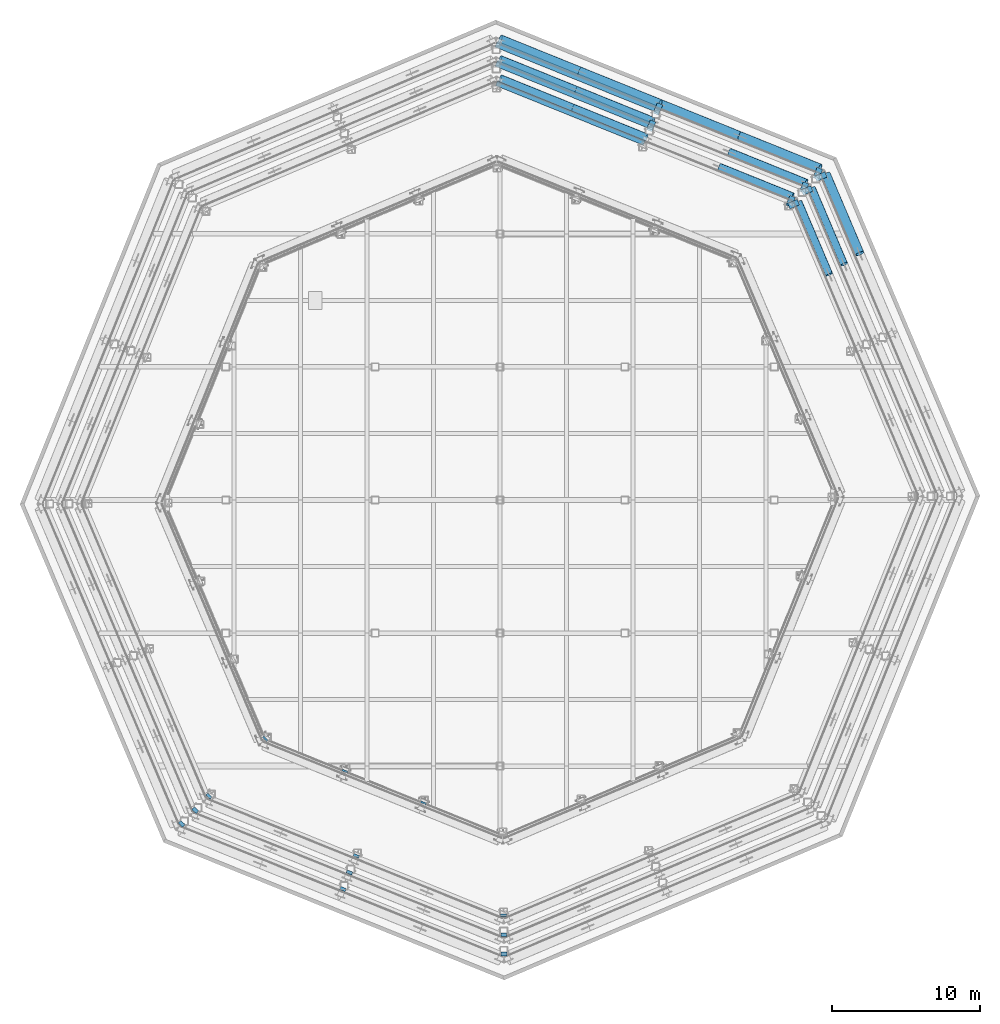
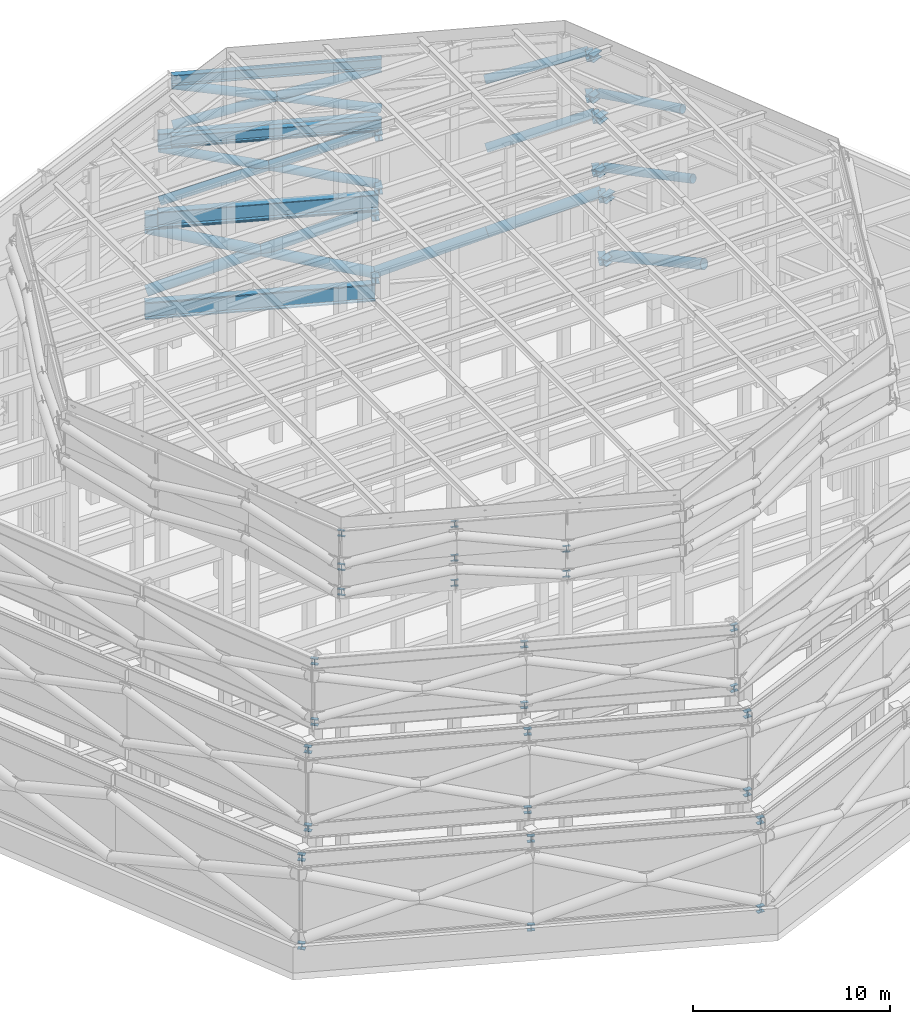
# One storey, part 13 of 19: 58 members, 6 beams.
"""IFC4 building model written with IfcOpenShell, lengths in metres."""

from ifc_helpers import new_model, si_unit, direction, frame, origin, origin_2d, place, context, subcontext, project, spatial, hollow_circle, i_section, extrude, material, material_profile, profile_set, type_object, element, save


model = new_model("IFC4")

# Units and contexts
model_context = context("Model", 3, precision=1e-05, world=origin(), true_north=direction((0.0, 1.0)))
body_context = subcontext(model_context, "Body", "Model", "MODEL_VIEW")
ifc_project = project(units=[si_unit("LENGTHUNIT", "METRE"), si_unit("AREAUNIT", "SQUARE_METRE"), si_unit("VOLUMEUNIT", "CUBIC_METRE"), si_unit("PLANEANGLEUNIT", "RADIAN"), si_unit("MASSUNIT", "GRAM", prefix="KILO")], contexts=[model_context])

# Site, building, storey
site_placement = place(None, origin())
site = spatial("IfcSite", under=ifc_project, at=site_placement, CompositionType="ELEMENT")
building_placement = place(site_placement, origin())
building = spatial("IfcBuilding", under=site, at=building_placement, Name="Orlundy Tower", CompositionType="ELEMENT")
storey_placement = place(building_placement, frame((0.0, 0.0, 304.300048828125)))
storey = spatial("IfcBuildingStorey", under=building, at=storey_placement, Name="Roof", CompositionType="ELEMENT", Elevation=304.300048828125)

# Beams
ifc_material_1 = material(Name="Steel ASTM A992 Gr 50", Category="steel")
ifc_material_profile_1 = material_profile(ifc_material_1, i_section(OverallWidth=0.3291015625, OverallDepth=0.635009765625, WebThickness=0.017822265625, FlangeThickness=0.031005859375, at=origin_2d()), Name="W24X162")
ifc_profile_set_1 = profile_set([ifc_material_profile_1], Name="Steel ASTM A992 Gr 50")
beam_type_1 = type_object("IfcBeamType", Name="CROWN FRAME beam W24X162", PredefinedType="BEAM", material=ifc_profile_set_1)
for number, where, z_axis, x_axis, name in (
    (1, (9.75634765625, 24.148193359375, 12.617431640625), (-0.927191356917, 0.374588023912, 0.0), (-0.374588023912, -0.927191356917, 0.0), "CROWN FRAME foot ring beam 3-02"),
    (2, (9.75634765625, 24.148193359375, 16.382568359375), (-0.927191356917, 0.374588023912, 0.0), (-0.374588023912, -0.927191356917, 0.0), "CROWN FRAME head ring beam 3-02"),
):
    element("IfcBeam", number, at=place(storey_placement, frame(where, z_axis=z_axis, x_axis=x_axis)), inside=storey, type_object=beam_type_1, Name=name, PredefinedType="BEAM", context=body_context, shape_type="SweptSolid", body=[
        extrude(i_section(OverallWidth=0.3291015625, OverallDepth=0.635009765625, WebThickness=0.017822265625, FlangeThickness=0.031005859375, at=origin_2d()), origin(), (0.0, 0.0, 1.0), 10.787841796875),
    ])
ifc_material_2 = material(Name="Steel ASTM A992 Gr 50", Category="steel")
ifc_material_profile_2 = material_profile(ifc_material_2, i_section(OverallWidth=0.423095703125, OverallDepth=0.947265625, WebThickness=0.02392578125, FlangeThickness=0.042724609375, at=origin_2d()), Name="W36X302")
ifc_profile_set_2 = profile_set([ifc_material_profile_2], Name="Steel ASTM A992 Gr 50")
beam_type_2 = type_object("IfcBeamType", Name="CROWN FRAME beam W36X302", PredefinedType="BEAM", material=ifc_profile_set_2)
beam_1_placement = place(storey_placement, frame((10.673095703125, 26.4169921875, 6.0263671875), z_axis=(-0.927187126957, 0.374598493863, 0.0), x_axis=(-0.374598493863, -0.927187126957, 0.0)))
element("IfcBeam", 3, at=beam_1_placement, inside=storey, type_object=beam_type_2, Name="CROWN FRAME head ring beam 1-02", PredefinedType="BEAM", context=body_context, shape_type="SweptSolid", body=[
    extrude(i_section(OverallWidth=0.423095703125, OverallDepth=0.947265625, WebThickness=0.02392578125, FlangeThickness=0.042724609375, at=origin_2d()), origin(), (0.0, 0.0, 1.0), 11.8017578125),
])
for number, where, z_axis, x_axis, name in (
    (4, (10.223388671875, 25.30419921875, 6.9736328125), (-0.927178227786, 0.374620519885, 0.0), (-0.374620519885, -0.927178227786, 0.0), "CROWN FRAME foot ring beam 2-02"),
    (5, (10.223388671875, 25.30419921875, 11.826416015625), (-0.927178227786, 0.374620519885, 0.0), (-0.374620519885, -0.927178227786, 0.0), "CROWN FRAME head ring beam 2-02"),
):
    element("IfcBeam", number, at=place(storey_placement, frame(where, z_axis=z_axis, x_axis=x_axis)), inside=storey, type_object=beam_type_2, Name=name, PredefinedType="BEAM", context=body_context, shape_type="SweptSolid", body=[
        extrude(i_section(OverallWidth=0.423095703125, OverallDepth=0.947265625, WebThickness=0.02392578125, FlangeThickness=0.042724609375, at=origin_2d()), origin(), (0.0, 0.0, 1.0), 11.304443359375),
    ])
ifc_material_3 = material(Name="Steel ASTM A992 Gr 50", Category="steel")
ifc_material_profile_3 = material_profile(ifc_material_3, i_section(OverallWidth=0.41650390625, OverallDepth=1.068115234375, WebThickness=0.0390625, FlangeThickness=0.070068359375, at=origin_2d()), Name="W40X503")
ifc_profile_set_3 = profile_set([ifc_material_profile_3], Name="Steel ASTM A992 Gr 50")
beam_type_3 = type_object("IfcBeamType", Name="CROWN FRAME beam W40X503", PredefinedType="BEAM", material=ifc_profile_set_3)
beam_2_placement = place(storey_placement, frame((10.671875, 26.4140625, 0.533935546875), z_axis=(-0.927194168391, 0.374581064793, 0.0), x_axis=(-0.374581064793, -0.927194168391, 0.0)))
element("IfcBeam", 6, at=beam_2_placement, inside=storey, type_object=beam_type_3, Name="CROWN FRAME foot ring beam 1-02", PredefinedType="BEAM", context=body_context, shape_type="SweptSolid", body=[
    extrude(i_section(OverallWidth=0.41650390625, OverallDepth=1.068115234375, WebThickness=0.0390625, FlangeThickness=0.070068359375, at=origin_2d()), origin(), (0.0, 0.0, 1.0), 11.80029296875),
])

# Members
ifc_material_4 = material(Name="Steel ASTM A500 Gr C", Category="steel")
ifc_material_profile_4 = material_profile(ifc_material_4, hollow_circle(Radius=0.25390625, WallThickness=0.01171875, at=origin_2d()), Name="HSS20.000X0.500")
ifc_profile_set_4 = profile_set([ifc_material_profile_4], Name="Steel ASTM A500 Gr C")
member_type_1 = type_object("IfcMemberType", Name="CROWN FRAME diagonal HSS20.000X0.500", PredefinedType="BRACE", material=ifc_profile_set_4)
member_1_placement = place(storey_placement, frame((15.53369140625, 23.5498046875, 9.39990234375), z_axis=(0.889011705625, -0.359186903617, 0.283977033457), x_axis=(0.374609157162, 0.927182818742, 0.0)))
element("IfcMember", 7, at=member_1_placement, inside=storey, type_object=member_type_1, Name="CROWN FRAME brace 2-01bb", PredefinedType="BRACE", context=body_context, shape_type="SweptSolid", body=[
    extrude(hollow_circle(Radius=0.25390625, WallThickness=0.01171875, at=origin_2d()), origin(), (0.0, 0.0, 1.0), 5.8203125),
])
member_2_placement = place(storey_placement, frame((10.359130859375, 25.640380859375, 7.7470703125), z_axis=(-0.889011705625, 0.359186903617, 0.283977033457), x_axis=(-0.374609157162, -0.927182818742, 0.0)))
element("IfcMember", 8, at=member_2_placement, inside=storey, type_object=member_type_1, Name="CROWN FRAME brace 2-02a", PredefinedType="BRACE", context=body_context, shape_type="SweptSolid", body=[
    extrude(hollow_circle(Radius=0.25390625, WallThickness=0.01171875, at=origin_2d()), origin(), (0.0, 0.0, 1.0), 11.640625),
])
for number, where, z_axis, x_axis, name in (
    (9, (0.010498046875, 29.821533203125, 7.7470703125), (0.889011705625, -0.359186903617, 0.283977033457), (0.374609157162, 0.927182818742, 0.0), "CROWN FRAME brace 2-02ba"),
    (10, (5.184814453125, 27.73095703125, 9.39990234375), (0.889011705625, -0.359186903617, 0.283977033457), (0.374609157162, 0.927182818742, 0.0), "CROWN FRAME brace 2-02bb"),
    (11, (21.094482421875, 21.07958984375, 7.7470703125), (0.374617267841, -0.882621940422, 0.283972556632), (0.920517426031, 0.390701508026, 0.0), "CROWN FRAME brace 2-16ba"),
):
    element("IfcMember", number, at=place(storey_placement, frame(where, z_axis=z_axis, x_axis=x_axis)), inside=storey, type_object=member_type_1, Name=name, PredefinedType="BRACE", context=body_context, shape_type="SweptSolid", body=[
        extrude(hollow_circle(Radius=0.25390625, WallThickness=0.01171875, at=origin_2d()), origin(), (0.0, 0.0, 1.0), 5.8203125),
    ])
member_3_placement = place(storey_placement, frame((14.853515625, 22.5302734375, 14.5), z_axis=(0.902163544342, -0.364456074083, 0.230808815527), x_axis=(0.374569787356, 0.92719872433, 0.0)))
element("IfcMember", 12, at=member_3_placement, inside=storey, type_object=member_type_1, Name="CROWN FRAME brace 3-01bb", PredefinedType="BRACE", context=body_context, shape_type="SweptSolid", body=[
    extrude(hollow_circle(Radius=0.25390625, WallThickness=0.01171875, at=origin_2d()), origin(), (0.0, 0.0, 1.0), 5.480224609375),
])
member_4_placement = place(storey_placement, frame((9.90966796875, 24.52783203125, 13.23486328125), z_axis=(-0.902143290139, 0.364488164359, 0.230837306561), x_axis=(-0.374605370326, -0.927184348726, 0.0)))
element("IfcMember", 13, at=member_4_placement, inside=storey, type_object=member_type_1, Name="CROWN FRAME brace 3-02a", PredefinedType="BRACE", context=body_context, shape_type="SweptSolid", body=[
    extrude(hollow_circle(Radius=0.25390625, WallThickness=0.01171875, at=origin_2d()), origin(), (0.0, 0.0, 1.0), 10.960205078125),
])
member_5_placement = place(storey_placement, frame((0.02197265625, 28.522705078125, 13.23486328125), z_axis=(0.902131326643, -0.364505605659, 0.23085652023), x_axis=(0.374625050896, 0.927176397047, 0.0)))
element("IfcMember", 14, at=member_5_placement, inside=storey, type_object=member_type_1, Name="CROWN FRAME brace 3-02ba", PredefinedType="BRACE", context=body_context, shape_type="SweptSolid", body=[
    extrude(hollow_circle(Radius=0.25390625, WallThickness=0.01171875, at=origin_2d()), origin(), (0.0, 0.0, 1.0), 5.480224609375),
])
member_6_placement = place(storey_placement, frame((4.9658203125, 26.525146484375, 14.5), z_axis=(0.902155253215, -0.364470722299, 0.230818092193), x_axis=(0.37458568925, 0.927192300124, 0.0)))
element("IfcMember", 15, at=member_6_placement, inside=storey, type_object=member_type_1, Name="CROWN FRAME brace 3-02bb", PredefinedType="BRACE", context=body_context, shape_type="SweptSolid", body=[
    extrude(hollow_circle(Radius=0.25390625, WallThickness=0.01171875, at=origin_2d()), origin(), (0.0, 0.0, 1.0), 5.47998046875),
])
member_7_placement = place(storey_placement, frame((20.18408203125, 20.153076171875, 13.23486328125), z_axis=(0.380189985283, -0.895633872055, 0.230858273229), x_axis=(0.920498952892, 0.390745029048, 0.0)))
element("IfcMember", 16, at=member_7_placement, inside=storey, type_object=member_type_1, Name="CROWN FRAME brace 3-16ba", PredefinedType="BRACE", context=body_context, shape_type="SweptSolid", body=[
    extrude(hollow_circle(Radius=0.25390625, WallThickness=0.01171875, at=origin_2d()), origin(), (0.0, 0.0, 1.0), 5.480224609375),
])
ifc_material_5 = material(Name="Steel ASTM A1085 Gr A", Category="steel")
ifc_material_profile_5 = material_profile(ifc_material_5, hollow_circle(Radius=0.3046875, WallThickness=0.023681640625, at=origin_2d()), Name="HSS24.000X1.000")
ifc_profile_set_5 = profile_set([ifc_material_profile_5], Name="Steel ASTM A1085 Gr A")
member_type_2 = type_object("IfcMemberType", Name="CROWN FRAME diagonal HSS24.000X1.000", PredefinedType="BRACE", material=ifc_profile_set_5)
member_8_placement = place(storey_placement, frame((10.827880859375, 26.800048828125, 1.3681640625), z_axis=(0.879650702939, -0.355388738237, 0.316090945066), x_axis=(0.374594618608, 0.927188692613, 0.0)))
element("IfcMember", 17, at=member_8_placement, inside=storey, type_object=member_type_2, Name="CROWN FRAME brace 1-01ba", PredefinedType="BRACE", context=body_context, shape_type="SweptSolid", body=[
    extrude(hollow_circle(Radius=0.3046875, WallThickness=0.023681640625, at=origin_2d()), origin(), (0.0, 0.0, 1.0), 6.144287109375),
])
member_9_placement = place(storey_placement, frame((16.232666015625, 24.616455078125, 3.310302734375), z_axis=(0.879630664444, -0.355396696155, 0.316137758789), x_axis=(0.374609165656, 0.92718281531, 0.0)))
element("IfcMember", 18, at=member_9_placement, inside=storey, type_object=member_type_2, Name="CROWN FRAME brace 1-01bb", PredefinedType="BRACE", context=body_context, shape_type="SweptSolid", body=[
    extrude(hollow_circle(Radius=0.3046875, WallThickness=0.023681640625, at=origin_2d()), origin(), (0.0, 0.0, 1.0), 6.14404296875),
])
member_10_placement = place(storey_placement, frame((10.827880859375, 26.800048828125, 1.3681640625), z_axis=(-0.879638967775, 0.355403864273, 0.316106595363), x_axis=(-0.374612621028, -0.927181419231, 0.0)))
element("IfcMember", 19, at=member_10_placement, inside=storey, type_object=member_type_2, Name="CROWN FRAME brace 1-02a", PredefinedType="BRACE", context=body_context, shape_type="SweptSolid", body=[
    extrude(hollow_circle(Radius=0.3046875, WallThickness=0.023681640625, at=origin_2d()), origin(), (0.0, 0.0, 1.0), 12.28857421875),
])
for number, where, z_axis, x_axis, name in (
    (20, (0.018310546875, 31.16748046875, 1.3681640625), (0.879650702939, -0.355388738237, 0.316090945066), (0.374594618608, 0.927188692613, 0.0), "CROWN FRAME brace 1-02ba"),
    (21, (5.423095703125, 28.98388671875, 3.310302734375), (0.879627232386, -0.355418989687, 0.316122245048), (0.374630623024, 0.927174145613, 0.0), "CROWN FRAME brace 1-02bb"),
):
    element("IfcMember", number, at=place(storey_placement, frame(where, z_axis=z_axis, x_axis=x_axis)), inside=storey, type_object=member_type_2, Name=name, PredefinedType="BRACE", context=body_context, shape_type="SweptSolid", body=[
        extrude(hollow_circle(Radius=0.3046875, WallThickness=0.023681640625, at=origin_2d()), origin(), (0.0, 0.0, 1.0), 6.144287109375),
    ])
member_11_placement = place(storey_placement, frame((22.051513671875, 22.02587890625, 1.3681640625), z_axis=(0.370714940258, -0.8733058598, 0.316081173607), x_axis=(0.920497803479, 0.39074773677, 0.0)))
element("IfcMember", 22, at=member_11_placement, inside=storey, type_object=member_type_2, Name="CROWN FRAME brace 1-16ba", PredefinedType="BRACE", context=body_context, shape_type="SweptSolid", body=[
    extrude(hollow_circle(Radius=0.3046875, WallThickness=0.023681640625, at=origin_2d()), origin(), (0.0, 0.0, 1.0), 6.14453125),
])
ifc_material_6 = material(Name="Steel ASTM A992 Gr 50", Category="steel")
ifc_material_profile_6 = material_profile(ifc_material_6, i_section(OverallWidth=0.39892578125, OverallDepth=0.393310546875, WebThickness=0.022705078125, FlangeThickness=0.03662109375, at=origin_2d()), Name="W14X193")
ifc_profile_set_6 = profile_set([ifc_material_profile_6], Name="Steel ASTM A992 Gr 50")
member_type_3 = type_object("IfcMemberType", Name="CROWN FRAME strut W14X193", PredefinedType="STRUT", material=ifc_profile_set_6)
member_12_placement = place(storey_placement, frame((-21.442138671875, -21.81982421875, 0.533935546875), z_axis=(-0.700562244291, -0.713591298906, 0.0), x_axis=(0.713591298906, -0.700562244291, 0.0)))
element("IfcMember", 23, at=member_12_placement, inside=storey, type_object=member_type_3, Name="CROWN FRAME foot ring connector 1-09", PredefinedType="STRUT", context=body_context, shape_type="SweptSolid", body=[
    extrude(i_section(OverallWidth=0.39892578125, OverallDepth=0.393310546875, WebThickness=0.022705078125, FlangeThickness=0.03662109375, at=origin_2d()), origin(), (0.0, 0.0, 1.0), 0.24365234375),
])
member_13_placement = place(storey_placement, frame((-10.591064453125, -26.21435546875, 0.533935546875), z_axis=(-0.375100021763, -0.926984343813, 0.0), x_axis=(0.926984343813, -0.375100021763, 0.0)))
element("IfcMember", 24, at=member_13_placement, inside=storey, type_object=member_type_3, Name="CROWN FRAME foot ring connector 1-10", PredefinedType="STRUT", context=body_context, shape_type="SweptSolid", body=[
    extrude(i_section(OverallWidth=0.39892578125, OverallDepth=0.393310546875, WebThickness=0.022705078125, FlangeThickness=0.03662109375, at=origin_2d()), origin(), (0.0, 0.0, 1.0), 0.21533203125),
])
member_14_placement = place(storey_placement, frame((0.26708984375, -30.5908203125, 0.533935546875), z_axis=(0.009026713466, -0.999959258392, 0.0), x_axis=(0.999959258392, 0.009026713466, 0.0)))
element("IfcMember", 25, at=member_14_placement, inside=storey, type_object=member_type_3, Name="CROWN FRAME foot ring connector 1-11", PredefinedType="STRUT", context=body_context, shape_type="SweptSolid", body=[
    extrude(i_section(OverallWidth=0.39892578125, OverallDepth=0.393310546875, WebThickness=0.022705078125, FlangeThickness=0.03662109375, at=origin_2d()), origin(), (0.0, 0.0, 1.0), 0.243408203125),
])
member_15_placement = place(storey_placement, frame((-21.442138671875, -21.81982421875, 6.0263671875), z_axis=(-0.700654118253, -0.713501090802, 0.0), x_axis=(0.713501090802, -0.700654118253, 0.0)))
element("IfcMember", 26, at=member_15_placement, inside=storey, type_object=member_type_3, Name="CROWN FRAME head ring connector 1-09", PredefinedType="STRUT", context=body_context, shape_type="SweptSolid", body=[
    extrude(i_section(OverallWidth=0.39892578125, OverallDepth=0.393310546875, WebThickness=0.022705078125, FlangeThickness=0.03662109375, at=origin_2d()), origin(), (0.0, 0.0, 1.0), 0.2470703125),
])
member_16_placement = place(storey_placement, frame((-10.591064453125, -26.21435546875, 6.0263671875), z_axis=(-0.375238451195, -0.92692831694, 0.0), x_axis=(0.92692831694, -0.375238451195, 0.0)))
element("IfcMember", 27, at=member_16_placement, inside=storey, type_object=member_type_3, Name="CROWN FRAME head ring connector 1-10", PredefinedType="STRUT", context=body_context, shape_type="SweptSolid", body=[
    extrude(i_section(OverallWidth=0.39892578125, OverallDepth=0.393310546875, WebThickness=0.022705078125, FlangeThickness=0.03662109375, at=origin_2d()), origin(), (0.0, 0.0, 1.0), 0.218505859375),
])
member_17_placement = place(storey_placement, frame((0.26708984375, -30.5908203125, 6.0263671875), z_axis=(0.008892928967, -0.999960457125, 0.0), x_axis=(0.999960457125, 0.008892928967, 0.0)))
element("IfcMember", 28, at=member_17_placement, inside=storey, type_object=member_type_3, Name="CROWN FRAME head ring connector 1-11", PredefinedType="STRUT", context=body_context, shape_type="SweptSolid", body=[
    extrude(i_section(OverallWidth=0.39892578125, OverallDepth=0.393310546875, WebThickness=0.022705078125, FlangeThickness=0.03662109375, at=origin_2d()), origin(), (0.0, 0.0, 1.0), 0.2470703125),
])
for number, where, z_axis, x_axis, name in (
    (29, (21.35302734375, 21.729248046875, 1.3681640625), (0.374494966738, 0.927228946856, 0.0), (-0.927228946856, 0.374494966738, 0.0), "CROWN FRAME brace connector 1-01A0"),
    (30, (10.54345703125, 26.0966796875, 5.252685546875), (0.374883331065, 0.927071997252, 0.0), (-0.927071997252, 0.374883331065, 0.0), "CROWN FRAME brace connector 1-01A1"),
    (31, (10.54345703125, 26.0966796875, 1.3681640625), (0.374883331065, 0.927071997252, 0.0), (-0.927071997252, 0.374883331065, 0.0), "CROWN FRAME brace connector 1-01B0"),
    (32, (21.35302734375, 21.729248046875, 5.252685546875), (0.374494966738, 0.927228946856, 0.0), (-0.927228946856, 0.374494966738, 0.0), "CROWN FRAME brace connector 1-01B1"),
    (33, (21.35302734375, 21.729248046875, 5.252685546875), (0.920438010061, 0.390888564217, 0.0), (-0.390888564217, 0.920438010061, 0.0), "CROWN FRAME brace connector 1-16A1"),
    (34, (21.35302734375, 21.729248046875, 1.3681640625), (0.920438010061, 0.390888564217, 0.0), (-0.390888564217, 0.920438010061, 0.0), "CROWN FRAME brace connector 1-16B0"),
):
    element("IfcMember", number, at=place(storey_placement, frame(where, z_axis=z_axis, x_axis=x_axis)), inside=storey, type_object=member_type_3, Name=name, PredefinedType="STRUT", context=body_context, shape_type="SweptSolid", body=[
        extrude(i_section(OverallWidth=0.39892578125, OverallDepth=0.393310546875, WebThickness=0.022705078125, FlangeThickness=0.03662109375, at=origin_2d()), origin(), (0.0, 0.0, 1.0), 0.7587890625),
    ])
member_18_placement = place(storey_placement, frame((-20.53173828125, -20.8935546875, 6.9736328125), z_axis=(-0.701148331308, -0.713015439878, 0.0), x_axis=(0.713015439878, -0.701148331308, 0.0)))
element("IfcMember", 35, at=member_18_placement, inside=storey, type_object=member_type_3, Name="CROWN FRAME foot ring connector 2-09", PredefinedType="STRUT", context=body_context, shape_type="SweptSolid", body=[
    extrude(i_section(OverallWidth=0.39892578125, OverallDepth=0.393310546875, WebThickness=0.022705078125, FlangeThickness=0.03662109375, at=origin_2d()), origin(), (0.0, 0.0, 1.0), 0.246826171875),
])
member_19_placement = place(storey_placement, frame((-10.1416015625, -25.101806640625, 6.9736328125), z_axis=(-0.374666452033, -0.927159667868, 0.0), x_axis=(0.927159667868, -0.374666452033, 0.0)))
element("IfcMember", 36, at=member_19_placement, inside=storey, type_object=member_type_3, Name="CROWN FRAME foot ring connector 2-10", PredefinedType="STRUT", context=body_context, shape_type="SweptSolid", body=[
    extrude(i_section(OverallWidth=0.39892578125, OverallDepth=0.393310546875, WebThickness=0.022705078125, FlangeThickness=0.03662109375, at=origin_2d()), origin(), (0.0, 0.0, 1.0), 0.21826171875),
])
member_20_placement = place(storey_placement, frame((0.255859375, -29.2919921875, 6.9736328125), z_axis=(0.007904891351, -0.999968755858, 0.0), x_axis=(0.999968755858, 0.007904891351, 0.0)))
element("IfcMember", 37, at=member_20_placement, inside=storey, type_object=member_type_3, Name="CROWN FRAME foot ring connector 2-11", PredefinedType="STRUT", context=body_context, shape_type="SweptSolid", body=[
    extrude(i_section(OverallWidth=0.39892578125, OverallDepth=0.393310546875, WebThickness=0.022705078125, FlangeThickness=0.03662109375, at=origin_2d()), origin(), (0.0, 0.0, 1.0), 0.2470703125),
])
member_21_placement = place(storey_placement, frame((-20.53173828125, -20.8935546875, 11.826416015625), z_axis=(-0.701148331308, -0.713015439878, 0.0), x_axis=(0.713015439878, -0.701148331308, 0.0)))
element("IfcMember", 38, at=member_21_placement, inside=storey, type_object=member_type_3, Name="CROWN FRAME head ring connector 2-09", PredefinedType="STRUT", context=body_context, shape_type="SweptSolid", body=[
    extrude(i_section(OverallWidth=0.39892578125, OverallDepth=0.393310546875, WebThickness=0.022705078125, FlangeThickness=0.03662109375, at=origin_2d()), origin(), (0.0, 0.0, 1.0), 0.246826171875),
])
member_22_placement = place(storey_placement, frame((-10.1416015625, -25.101806640625, 11.826416015625), z_axis=(-0.374666452033, -0.927159667868, 0.0), x_axis=(0.927159667868, -0.374666452033, 0.0)))
element("IfcMember", 39, at=member_22_placement, inside=storey, type_object=member_type_3, Name="CROWN FRAME head ring connector 2-10", PredefinedType="STRUT", context=body_context, shape_type="SweptSolid", body=[
    extrude(i_section(OverallWidth=0.39892578125, OverallDepth=0.393310546875, WebThickness=0.022705078125, FlangeThickness=0.03662109375, at=origin_2d()), origin(), (0.0, 0.0, 1.0), 0.21826171875),
])
member_23_placement = place(storey_placement, frame((0.255859375, -29.2919921875, 11.826416015625), z_axis=(0.007904891351, -0.999968755858, 0.0), x_axis=(0.999968755858, 0.007904891351, 0.0)))
element("IfcMember", 40, at=member_23_placement, inside=storey, type_object=member_type_3, Name="CROWN FRAME head ring connector 2-11", PredefinedType="STRUT", context=body_context, shape_type="SweptSolid", body=[
    extrude(i_section(OverallWidth=0.39892578125, OverallDepth=0.393310546875, WebThickness=0.022705078125, FlangeThickness=0.03662109375, at=origin_2d()), origin(), (0.0, 0.0, 1.0), 0.2470703125),
])
member_24_placement = place(storey_placement, frame((20.442626953125, 20.802978515625, 7.7470703125), z_axis=(0.374896397824, 0.927066713294, 0.0), x_axis=(-0.927066713294, 0.374896397824, 0.0)))
element("IfcMember", 41, at=member_24_placement, inside=storey, type_object=member_type_3, Name="CROWN FRAME brace connector 2-01A0", PredefinedType="STRUT", context=body_context, shape_type="SweptSolid", body=[
    extrude(i_section(OverallWidth=0.39892578125, OverallDepth=0.393310546875, WebThickness=0.022705078125, FlangeThickness=0.03662109375, at=origin_2d()), origin(), (0.0, 0.0, 1.0), 0.707763671875),
])
for number, where, z_axis, x_axis, name in (
    (42, (10.093994140625, 24.98388671875, 11.052734375), (0.374480153744, 0.927234929482, 0.0), (-0.927234929482, 0.374480153744, 0.0), "CROWN FRAME brace connector 2-01A1"),
    (43, (10.093994140625, 24.98388671875, 7.7470703125), (0.374480153744, 0.927234929482, 0.0), (-0.927234929482, 0.374480153744, 0.0), "CROWN FRAME brace connector 2-01B0"),
):
    element("IfcMember", number, at=place(storey_placement, frame(where, z_axis=z_axis, x_axis=x_axis)), inside=storey, type_object=member_type_3, Name=name, PredefinedType="STRUT", context=body_context, shape_type="SweptSolid", body=[
        extrude(i_section(OverallWidth=0.39892578125, OverallDepth=0.393310546875, WebThickness=0.022705078125, FlangeThickness=0.03662109375, at=origin_2d()), origin(), (0.0, 0.0, 1.0), 0.7080078125),
    ])
member_25_placement = place(storey_placement, frame((20.442626953125, 20.802978515625, 11.052734375), z_axis=(0.374896397824, 0.927066713294, 0.0), x_axis=(-0.927066713294, 0.374896397824, 0.0)))
element("IfcMember", 44, at=member_25_placement, inside=storey, type_object=member_type_3, Name="CROWN FRAME brace connector 2-01B1", PredefinedType="STRUT", context=body_context, shape_type="SweptSolid", body=[
    extrude(i_section(OverallWidth=0.39892578125, OverallDepth=0.393310546875, WebThickness=0.022705078125, FlangeThickness=0.03662109375, at=origin_2d()), origin(), (0.0, 0.0, 1.0), 0.707763671875),
])
for number, where, z_axis, x_axis, name in (
    (45, (20.442626953125, 20.802978515625, 11.052734375), (0.920547971742, 0.390629532578, 0.0), (-0.390629532578, 0.920547971742, 0.0), "CROWN FRAME brace connector 2-16A1"),
    (46, (20.442626953125, 20.802978515625, 7.7470703125), (0.920547971742, 0.390629532578, 0.0), (-0.390629532578, 0.920547971742, 0.0), "CROWN FRAME brace connector 2-16B0"),
):
    element("IfcMember", number, at=place(storey_placement, frame(where, z_axis=z_axis, x_axis=x_axis)), inside=storey, type_object=member_type_3, Name=name, PredefinedType="STRUT", context=body_context, shape_type="SweptSolid", body=[
        extrude(i_section(OverallWidth=0.39892578125, OverallDepth=0.393310546875, WebThickness=0.022705078125, FlangeThickness=0.03662109375, at=origin_2d()), origin(), (0.0, 0.0, 1.0), 0.7080078125),
    ])
member_26_placement = place(storey_placement, frame((-19.621337890625, -19.967041015625, 12.617431640625), z_axis=(-0.700855095703, -0.713303676443, 0.0), x_axis=(0.713303676443, -0.700855095703, 0.0)))
element("IfcMember", 47, at=member_26_placement, inside=storey, type_object=member_type_3, Name="CROWN FRAME foot ring connector 3-09", PredefinedType="STRUT", context=body_context, shape_type="SweptSolid", body=[
    extrude(i_section(OverallWidth=0.39892578125, OverallDepth=0.393310546875, WebThickness=0.022705078125, FlangeThickness=0.03662109375, at=origin_2d()), origin(), (0.0, 0.0, 1.0), 0.196044921875),
])
member_27_placement = place(storey_placement, frame((-9.692138671875, -23.989013671875, 12.617431640625), z_axis=(-0.374086731751, -0.927393722821, 0.0), x_axis=(0.927393722821, -0.374086731751, 0.0)))
element("IfcMember", 48, at=member_27_placement, inside=storey, type_object=member_type_3, Name="CROWN FRAME foot ring connector 3-10", PredefinedType="STRUT", context=body_context, shape_type="SweptSolid", body=[
    extrude(i_section(OverallWidth=0.39892578125, OverallDepth=0.393310546875, WebThickness=0.022705078125, FlangeThickness=0.03662109375, at=origin_2d()), origin(), (0.0, 0.0, 1.0), 0.171630859375),
])
for number, where, z_axis, x_axis, name in (
    (49, (0.244384765625, -27.9931640625, 12.617431640625), (0.008716978885, -0.999962006418, 0.0), (0.999962006418, 0.008716978885, 0.0), "CROWN FRAME foot ring connector 3-11"),
    (50, (-19.621337890625, -19.967041015625, 16.382568359375), (-0.700855095703, -0.713303676443, 0.0), (0.713303676443, -0.700855095703, 0.0), "CROWN FRAME head ring connector 3-09"),
):
    element("IfcMember", number, at=place(storey_placement, frame(where, z_axis=z_axis, x_axis=x_axis)), inside=storey, type_object=member_type_3, Name=name, PredefinedType="STRUT", context=body_context, shape_type="SweptSolid", body=[
        extrude(i_section(OverallWidth=0.39892578125, OverallDepth=0.393310546875, WebThickness=0.022705078125, FlangeThickness=0.03662109375, at=origin_2d()), origin(), (0.0, 0.0, 1.0), 0.196044921875),
    ])
member_28_placement = place(storey_placement, frame((-9.692138671875, -23.989013671875, 16.382568359375), z_axis=(-0.374086731751, -0.927393722821, 0.0), x_axis=(0.927393722821, -0.374086731751, 0.0)))
element("IfcMember", 51, at=member_28_placement, inside=storey, type_object=member_type_3, Name="CROWN FRAME head ring connector 3-10", PredefinedType="STRUT", context=body_context, shape_type="SweptSolid", body=[
    extrude(i_section(OverallWidth=0.39892578125, OverallDepth=0.393310546875, WebThickness=0.022705078125, FlangeThickness=0.03662109375, at=origin_2d()), origin(), (0.0, 0.0, 1.0), 0.171630859375),
])
member_29_placement = place(storey_placement, frame((0.244384765625, -27.9931640625, 16.382568359375), z_axis=(0.008716978885, -0.999962006418, 0.0), x_axis=(0.999962006418, 0.008716978885, 0.0)))
element("IfcMember", 52, at=member_29_placement, inside=storey, type_object=member_type_3, Name="CROWN FRAME head ring connector 3-11", PredefinedType="STRUT", context=body_context, shape_type="SweptSolid", body=[
    extrude(i_section(OverallWidth=0.39892578125, OverallDepth=0.393310546875, WebThickness=0.022705078125, FlangeThickness=0.03662109375, at=origin_2d()), origin(), (0.0, 0.0, 1.0), 0.196044921875),
])
for number, where, z_axis, x_axis, name in (
    (53, (19.5322265625, 19.87646484375, 13.23486328125), (0.374776564809, 0.927115163542, 0.0), (-0.927115163542, 0.374776564809, 0.0), "CROWN FRAME brace connector 3-01A0"),
    (54, (19.5322265625, 19.87646484375, 15.764892578125), (0.374776564809, 0.927115163542, 0.0), (-0.927115163542, 0.374776564809, 0.0), "CROWN FRAME brace connector 3-01B1"),
    (55, (19.5322265625, 19.87646484375, 15.764892578125), (0.920547971742, 0.390629532578, 0.0), (-0.390629532578, 0.920547971742, 0.0), "CROWN FRAME brace connector 3-16A1"),
    (56, (19.5322265625, 19.87646484375, 13.23486328125), (0.920547971742, 0.390629532578, 0.0), (-0.390629532578, 0.920547971742, 0.0), "CROWN FRAME brace connector 3-16B0"),
):
    element("IfcMember", number, at=place(storey_placement, frame(where, z_axis=z_axis, x_axis=x_axis)), inside=storey, type_object=member_type_3, Name=name, PredefinedType="STRUT", context=body_context, shape_type="SweptSolid", body=[
        extrude(i_section(OverallWidth=0.39892578125, OverallDepth=0.393310546875, WebThickness=0.022705078125, FlangeThickness=0.03662109375, at=origin_2d()), origin(), (0.0, 0.0, 1.0), 0.7080078125),
    ])
member_30_placement = place(storey_placement, frame((-15.828125, -16.10693359375, 16.974365234375), z_axis=(-0.700691429049, -0.713464449891, 0.0), x_axis=(0.713464449891, -0.700691429049, 0.0)))
element("IfcMember", 57, at=member_30_placement, inside=storey, type_object=member_type_3, Name="CROWN FRAME foot ring connector 4-13", PredefinedType="STRUT", context=body_context, shape_type="SweptSolid", body=[
    extrude(i_section(OverallWidth=0.39892578125, OverallDepth=0.393310546875, WebThickness=0.022705078125, FlangeThickness=0.03662109375, at=origin_2d()), origin(), (0.0, 0.0, 1.0), 0.1337890625),
])
member_31_placement = place(storey_placement, frame((-10.474853515625, -18.280029296875, 16.974365234375), z_axis=(-0.374710857716, -0.927141722235, 0.0), x_axis=(0.927141722235, -0.374710857716, 0.0)))
element("IfcMember", 58, at=member_31_placement, inside=storey, type_object=member_type_3, Name="CROWN FRAME foot ring connector 4-14", PredefinedType="STRUT", context=body_context, shape_type="SweptSolid", body=[
    extrude(i_section(OverallWidth=0.39892578125, OverallDepth=0.393310546875, WebThickness=0.022705078125, FlangeThickness=0.03662109375, at=origin_2d()), origin(), (0.0, 0.0, 1.0), 0.114013671875),
])
member_32_placement = place(storey_placement, frame((-5.1630859375, -20.42626953125, 16.974365234375), z_axis=(-0.375456092213, -0.926840181919, 0.0), x_axis=(0.926840181919, -0.375456092213, 0.0)))
element("IfcMember", 59, at=member_32_placement, inside=storey, type_object=member_type_3, Name="CROWN FRAME foot ring connector 4-15", PredefinedType="STRUT", context=body_context, shape_type="SweptSolid", body=[
    extrude(i_section(OverallWidth=0.39892578125, OverallDepth=0.393310546875, WebThickness=0.022705078125, FlangeThickness=0.03662109375, at=origin_2d()), origin(), (0.0, 0.0, 1.0), 0.11376953125),
])
member_33_placement = place(storey_placement, frame((-15.828125, -16.10693359375, 18.525390625), z_axis=(-0.700691429049, -0.713464449891, 0.0), x_axis=(0.713464449891, -0.700691429049, 0.0)))
element("IfcMember", 60, at=member_33_placement, inside=storey, type_object=member_type_3, Name="CROWN FRAME head ring connector 4-13", PredefinedType="STRUT", context=body_context, shape_type="SweptSolid", body=[
    extrude(i_section(OverallWidth=0.39892578125, OverallDepth=0.393310546875, WebThickness=0.022705078125, FlangeThickness=0.03662109375, at=origin_2d()), origin(), (0.0, 0.0, 1.0), 0.1337890625),
])
member_34_placement = place(storey_placement, frame((-10.474853515625, -18.280029296875, 18.525390625), z_axis=(-0.374710857716, -0.927141722235, 0.0), x_axis=(0.927141722235, -0.374710857716, 0.0)))
element("IfcMember", 61, at=member_34_placement, inside=storey, type_object=member_type_3, Name="CROWN FRAME head ring connector 4-14", PredefinedType="STRUT", context=body_context, shape_type="SweptSolid", body=[
    extrude(i_section(OverallWidth=0.39892578125, OverallDepth=0.393310546875, WebThickness=0.022705078125, FlangeThickness=0.03662109375, at=origin_2d()), origin(), (0.0, 0.0, 1.0), 0.114013671875),
])
member_35_placement = place(storey_placement, frame((-5.1630859375, -20.42626953125, 18.525390625), z_axis=(-0.375456092213, -0.926840181919, 0.0), x_axis=(0.926840181919, -0.375456092213, 0.0)))
element("IfcMember", 62, at=member_35_placement, inside=storey, type_object=member_type_3, Name="CROWN FRAME head ring connector 4-15", PredefinedType="STRUT", context=body_context, shape_type="SweptSolid", body=[
    extrude(i_section(OverallWidth=0.39892578125, OverallDepth=0.393310546875, WebThickness=0.022705078125, FlangeThickness=0.03662109375, at=origin_2d()), origin(), (0.0, 0.0, 1.0), 0.11376953125),
])
member_36_placement = place(storey_placement, frame((-15.828125, -16.10693359375, 20.62548828125), z_axis=(-0.700691429049, -0.713464449891, 0.0), x_axis=(0.713464449891, -0.700691429049, 0.0)))
element("IfcMember", 63, at=member_36_placement, inside=storey, type_object=member_type_3, Name="CROWN FRAME head ring connector 5-13", PredefinedType="STRUT", context=body_context, shape_type="SweptSolid", body=[
    extrude(i_section(OverallWidth=0.39892578125, OverallDepth=0.393310546875, WebThickness=0.022705078125, FlangeThickness=0.03662109375, at=origin_2d()), origin(), (0.0, 0.0, 1.0), 0.1337890625),
])
member_37_placement = place(storey_placement, frame((-10.474853515625, -18.280029296875, 20.62548828125), z_axis=(-0.374710857716, -0.927141722235, 0.0), x_axis=(0.927141722235, -0.374710857716, 0.0)))
element("IfcMember", 64, at=member_37_placement, inside=storey, type_object=member_type_3, Name="CROWN FRAME head ring connector 5-14", PredefinedType="STRUT", context=body_context, shape_type="SweptSolid", body=[
    extrude(i_section(OverallWidth=0.39892578125, OverallDepth=0.393310546875, WebThickness=0.022705078125, FlangeThickness=0.03662109375, at=origin_2d()), origin(), (0.0, 0.0, 1.0), 0.114013671875),
])

save(model, "model.ifc")
